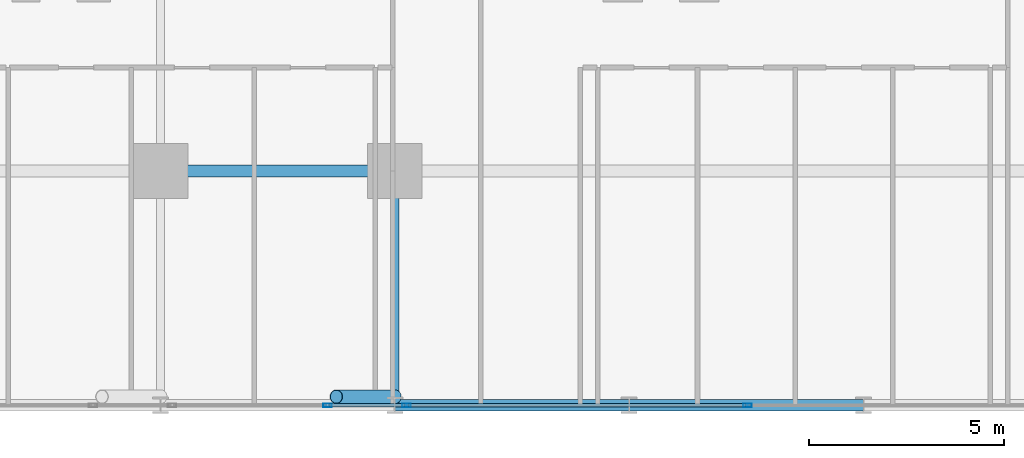
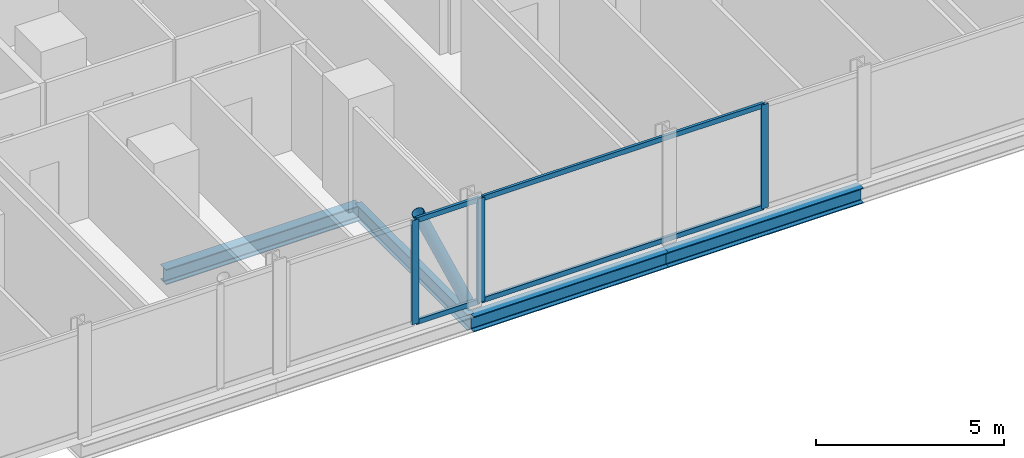
# One storey, part 7 of 33: 8 members, 4 beams, 2 elements without a shape of their own.
"""IFC4 building model written with IfcOpenShell, lengths in metres."""

from ifc_helpers import new_model, si_unit, direction, frame, origin, origin_2d, place, context, subcontext, project, spatial, hollow_rectangle, hollow_circle, i_section, extrude, material, layer, layer_set, material_profile, profile_set, type_object, element, aggregate, save


model = new_model("IFC4")

# Units and contexts
model_context = context("Model", 3, precision=1e-05, world=origin(), true_north=direction((0.0, 1.0)))
body_context = subcontext(model_context, "Body", "Model", "MODEL_VIEW")
ifc_project = project(units=[si_unit("LENGTHUNIT", "METRE"), si_unit("AREAUNIT", "SQUARE_METRE"), si_unit("VOLUMEUNIT", "CUBIC_METRE"), si_unit("PLANEANGLEUNIT", "RADIAN"), si_unit("MASSUNIT", "GRAM", prefix="KILO")], contexts=[model_context])

# Site, building, storey
site_placement = place(None, origin())
site = spatial("IfcSite", under=ifc_project, at=site_placement, CompositionType="ELEMENT")
building_placement = place(site_placement, origin())
building = spatial("IfcBuilding", under=site, at=building_placement, Name="Keshet Zoharim Tower", CompositionType="ELEMENT")
storey_placement = place(building_placement, frame((0.0, 0.0, 35.10009765625)))
storey = spatial("IfcBuildingStorey", under=building, at=storey_placement, Name="L07", CompositionType="ELEMENT", Elevation=35.10009765625)

# Beams
ifc_material_1 = material(Name="Steel S355", Category="steel")
ifc_material_profile_1 = material_profile(ifc_material_1, i_section(OverallWidth=0.199951171875, OverallDepth=0.5, WebThickness=0.01025390625, FlangeThickness=0.01611328125, FilletRadius=0.02099609375, at=origin_2d()), Name="IPE500")
ifc_profile_set_1 = profile_set([ifc_material_profile_1], Name="Steel S355")
beam_type_1 = type_object("IfcBeamType", Name="BM-PRI-IP500", PredefinedType="BEAM", material=ifc_profile_set_1)
beam_placement = place(storey_placement, frame((39.0, 0.699951171875, -0.565185546875), z_axis=(0.0, 1.0, 0.0), x_axis=(-1.0, 0.0, 0.0)))
element("IfcBeam", 1, at=beam_placement, inside=storey, type_object=beam_type_1, Name="L07 Primary Girder Y-012", PredefinedType="BEAM", context=body_context, shape_type="SweptSolid", body=[
    extrude(i_section(OverallWidth=0.199951171875, OverallDepth=0.5, WebThickness=0.01025390625, FlangeThickness=0.01611328125, FilletRadius=0.02099609375, at=origin_2d()), origin(), (0.0, 0.0, 1.0), 6.0),
])
ifc_material_profile_2 = material_profile(ifc_material_1, i_section(OverallWidth=0.300048828125, OverallDepth=0.5, WebThickness=0.014404296875, FlangeThickness=0.028076171875, FilletRadius=0.027099609375, at=origin_2d()), Name="HEB500")
ifc_profile_set_2 = profile_set([ifc_material_profile_2], Name="Steel S355")
beam_type_2 = type_object("IfcBeamType", Name="BM-WEB-HB500", PredefinedType="BEAM", material=ifc_profile_set_2)
for number, where, z_axis, x_axis, name in (
    (2, (39.0, 0.699951171875, -0.565185546875), (1.0, 0.0, 0.0), (0.0, 1.0, 0.0), "L07 Primary Girder X-003"),
    (3, (45.0, 0.699951171875, -0.565185546875), (1.0, 0.0, 0.0), (0.0, 1.0, 0.0), "L07 Primary Girder X-004"),
    (4, (33.0, 6.699951171875, -0.565185546875), (1.0, 0.0, 0.0), (0.0, 1.0, 0.0), "L07 Primary Girder X-008"),
):
    element("IfcBeam", number, at=place(storey_placement, frame(where, z_axis=z_axis, x_axis=x_axis)), inside=storey, type_object=beam_type_2, Name=name, PredefinedType="BEAM", context=body_context, shape_type="SweptSolid", body=[
        extrude(i_section(OverallWidth=0.300048828125, OverallDepth=0.5, WebThickness=0.014404296875, FlangeThickness=0.028076171875, FilletRadius=0.027099609375, at=origin_2d()), origin(), (0.0, 0.0, 1.0), 6.0),
    ])

# Curtain wall, members
ifc_material_2 = material(Name="Aluminium 6063-T6", Category="aluminium")
ifc_layer = layer(ifc_material_2, 0.179931640625)
ifc_layer_set = layer_set([ifc_layer], Name="Aluminium 6063-T6")
curtain_wall_type = type_object("IfcCurtainWallType", Name="CW-SYS-01", PredefinedType="NOTDEFINED", material=ifc_layer_set)
curtain_wall_1_placement = place(storey_placement, origin())
curtain_wall_1 = element("IfcCurtainWall", 5, at=curtain_wall_1_placement, inside=storey, type_object=curtain_wall_type, Name="L07 Unitised Curtain Wall 26", PredefinedType="NOTDEFINED")
ifc_material_profile_3 = material_profile(ifc_material_2, hollow_rectangle(XDim=0.090087890625, YDim=0.219970703125, WallThickness=0.0048828125, at=origin_2d()), Name="MUL-90x220")
ifc_profile_set_3 = profile_set([ifc_material_profile_3], Name="Aluminium 6063-T6")
member_type_1 = type_object("IfcMemberType", Name="CWM-M22", PredefinedType="MULLION", material=ifc_profile_set_3)
member_1_placement = place(storey_placement, frame((48.03271484375, 0.699951171875, 0.0), z_axis=(0.0, 0.0, 1.0), x_axis=(0.0, -1.0, 0.0)))
member_1 = element("IfcMember", 6, at=member_1_placement, type_object=member_type_1, Name="CW-01 mullion 2", PredefinedType="MULLION", context=body_context, shape_type="SweptSolid", body=[
    extrude(hollow_rectangle(XDim=0.090087890625, YDim=0.219970703125, WallThickness=0.0048828125, at=origin_2d()), origin(), (0.0, 0.0, 1.0), 3.385009765625),
])
member_2_placement = place(storey_placement, frame((39.297607421875, 0.699951171875, 0.0), z_axis=(0.0, 0.0, 1.0), x_axis=(0.0, -1.0, 0.0)))
member_2 = element("IfcMember", 7, at=member_2_placement, type_object=member_type_1, Name="CW-01 mullion 3", PredefinedType="MULLION", context=body_context, shape_type="SweptSolid", body=[
    extrude(hollow_rectangle(XDim=0.090087890625, YDim=0.219970703125, WallThickness=0.0048828125, at=origin_2d()), origin(), (0.0, 0.0, 1.0), 3.385009765625),
])

# Curtain wall, member
curtain_wall_2_placement = place(storey_placement, origin())
curtain_wall_2 = element("IfcCurtainWall", 8, at=curtain_wall_2_placement, inside=storey, type_object=curtain_wall_type, Name="L07 Unitised Curtain Wall 26 Part 2", PredefinedType="NOTDEFINED")
member_3_placement = place(storey_placement, frame((37.2724609375, 0.699951171875, 0.0), z_axis=(0.0, 0.0, 1.0), x_axis=(0.0, -1.0, 0.0)))
member_3 = element("IfcMember", 9, at=member_3_placement, type_object=member_type_1, Name="CW-01 mullion 2", PredefinedType="MULLION", context=body_context, shape_type="SweptSolid", body=[
    extrude(hollow_rectangle(XDim=0.090087890625, YDim=0.219970703125, WallThickness=0.0048828125, at=origin_2d()), origin(), (0.0, 0.0, 1.0), 3.385009765625),
])

# Member
ifc_material_profile_4 = material_profile(ifc_material_2, hollow_rectangle(XDim=0.0849609375, YDim=0.159912109375, WallThickness=0.00439453125, at=origin_2d()), Name="TRN-85x160")
ifc_profile_set_4 = profile_set([ifc_material_profile_4], Name="Aluminium 6063-T6")
member_type_2 = type_object("IfcMemberType", Name="CWT-T16", PredefinedType="USERDEFINED", material=ifc_profile_set_4)
member_4_placement = place(storey_placement, frame((47.997802734375, 0.699951171875, 0.034912109375), z_axis=(-1.0, 0.0, 0.0), x_axis=(0.0, -1.0, 0.0)))
member_4 = element("IfcMember", 10, at=member_4_placement, type_object=member_type_2, Name="CW-01 transom 2.1", ObjectType="TRANSOM", PredefinedType="USERDEFINED", context=body_context, shape_type="SweptSolid", body=[
    extrude(hollow_rectangle(XDim=0.0849609375, YDim=0.159912109375, WallThickness=0.00439453125, at=origin_2d()), origin(), (0.0, 0.0, 1.0), 8.665283203125),
])

member_5_placement = place(storey_placement, frame((47.997802734375, 0.699951171875, 3.349853515625), z_axis=(-1.0, 0.0, 0.0), x_axis=(0.0, -1.0, 0.0)))
member_5 = element("IfcMember", 11, at=member_5_placement, type_object=member_type_2, Name="CW-01 transom 2.2", ObjectType="TRANSOM", PredefinedType="USERDEFINED", context=body_context, shape_type="SweptSolid", body=[
    extrude(hollow_rectangle(XDim=0.0849609375, YDim=0.159912109375, WallThickness=0.00439453125, at=origin_2d()), origin(), (0.0, 0.0, 1.0), 8.665283203125),
])

aggregate(curtain_wall_1, [member_1, member_2, member_4, member_5])

member_6_placement = place(storey_placement, frame((39.2626953125, 0.699951171875, 0.034912109375), z_axis=(-1.0, 0.0, 0.0), x_axis=(0.0, -1.0, 0.0)))
member_6 = element("IfcMember", 12, at=member_6_placement, type_object=member_type_2, Name="CW-01 transom 1.1", ObjectType="TRANSOM", PredefinedType="USERDEFINED", context=body_context, shape_type="SweptSolid", body=[
    extrude(hollow_rectangle(XDim=0.0849609375, YDim=0.159912109375, WallThickness=0.00439453125, at=origin_2d()), origin(), (0.0, 0.0, 1.0), 1.955322265625),
])

member_7_placement = place(storey_placement, frame((39.2626953125, 0.699951171875, 3.349853515625), z_axis=(-1.0, 0.0, 0.0), x_axis=(0.0, -1.0, 0.0)))
member_7 = element("IfcMember", 13, at=member_7_placement, type_object=member_type_2, Name="CW-01 transom 1.2", ObjectType="TRANSOM", PredefinedType="USERDEFINED", context=body_context, shape_type="SweptSolid", body=[
    extrude(hollow_rectangle(XDim=0.0849609375, YDim=0.159912109375, WallThickness=0.00439453125, at=origin_2d()), origin(), (0.0, 0.0, 1.0), 1.955322265625),
])

aggregate(curtain_wall_2, [member_3, member_6, member_7])

ifc_material_profile_5 = material_profile(ifc_material_1, hollow_circle(Radius=0.177734375, WallThickness=0.012451171875, at=origin_2d()), Name="CHS355x12.5")
ifc_profile_set_5 = profile_set([ifc_material_profile_5], Name="Steel S355")
member_type_3 = type_object("IfcMemberType", Name="MB-BR-C355", PredefinedType="BRACE", material=ifc_profile_set_5)
member_8_placement = place(storey_placement, frame((39.0, 0.919921875, 0.0), z_axis=(-0.405134846829, 0.0, 0.91425694194), x_axis=(0.0, -1.0, 0.0)))
element("IfcMember", 14, at=member_8_placement, inside=storey, type_object=member_type_3, Name="L07 Perimeter Tube Brace 03", PredefinedType="BRACE", context=body_context, shape_type="SweptSolid", body=[
    extrude(hollow_circle(Radius=0.177734375, WallThickness=0.012451171875, at=origin_2d()), origin(), (0.0, 0.0, 1.0), 3.702392578125),
])

save(model, "model.ifc")
